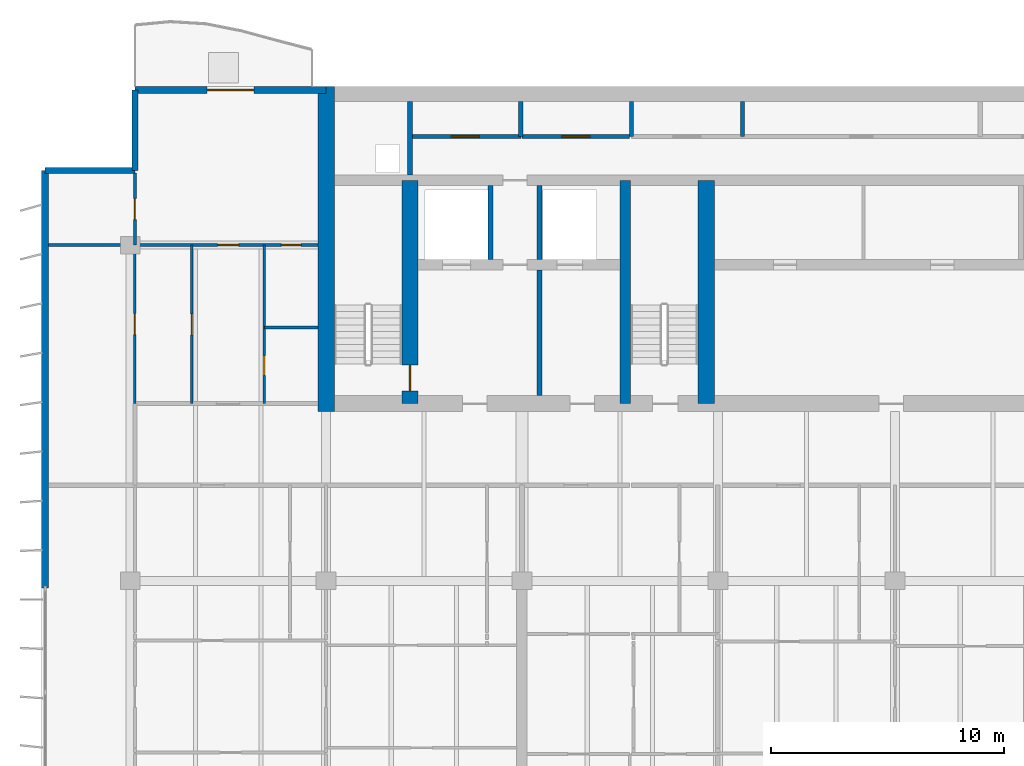
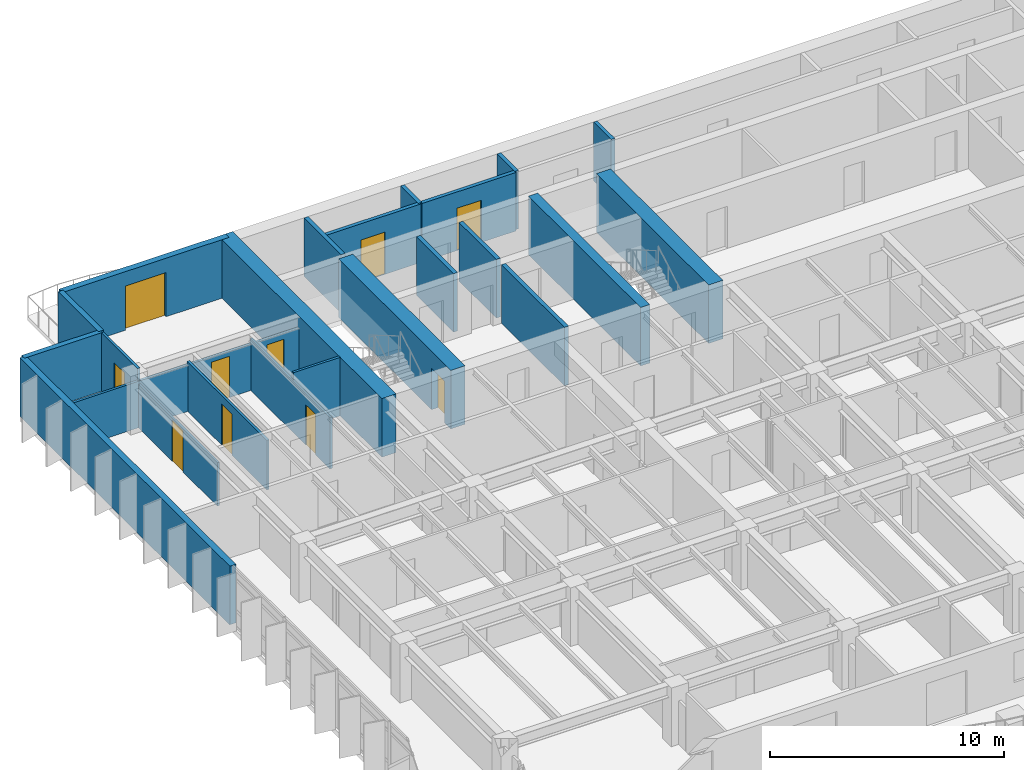
# One storey, part 13 of 19: 23 walls, 10 doors, 10 openings.
"""IFC4 building model written with IfcOpenShell, lengths in metres."""

from ifc_helpers import new_model, si_unit, direction, frame, frame_2d, origin, place, context, subcontext, project, spatial, rectangle, extrude, material, layer, layer_set, type_object, element, fill, save


model = new_model("IFC4")

# Units and contexts
model_context = context("Model", 3, precision=1e-05, world=origin(), true_north=direction((0.0, 1.0)))
body_context = subcontext(model_context, "Body", "Model", "MODEL_VIEW")
ifc_project = project(units=[si_unit("LENGTHUNIT", "METRE"), si_unit("AREAUNIT", "SQUARE_METRE"), si_unit("VOLUMEUNIT", "CUBIC_METRE"), si_unit("PLANEANGLEUNIT", "RADIAN"), si_unit("MASSUNIT", "GRAM", prefix="KILO")], contexts=[model_context])

# Site, building, storey
site_placement = place(None, origin())
site = spatial("IfcSite", under=ifc_project, at=site_placement, CompositionType="ELEMENT")
building_placement = place(site_placement, origin())
building = spatial("IfcBuilding", under=site, at=building_placement, Name="Caelmar Bay Residences", CompositionType="ELEMENT")
storey_placement = place(building_placement, frame((0.0, 0.0, 188.39990234375)))
storey = spatial("IfcBuildingStorey", under=building, at=storey_placement, Name="L52", CompositionType="ELEMENT", Elevation=188.39990234375)

# Wall
ifc_material_1 = material(Name="Concrete f'c 55 MPa (8,000 psi)", Category="concrete")
ifc_layer_1 = layer(ifc_material_1, 0.699951171875)
ifc_layer_set_1 = layer_set([ifc_layer_1], Name="Concrete f'c 55 MPa (8,000 psi)")
wall_type_1 = type_object("IfcWallType", Name="SW-COR-700", PredefinedType="SHEAR", material=ifc_layer_set_1)
wall_1_placement = place(storey_placement, frame((18.300048828125, 36.64990234375, 0.0), z_axis=(0.0, 0.0, 1.0), x_axis=(0.0, 1.0, 0.0)))
element("IfcWall", 1, at=wall_1_placement, inside=storey, type_object=wall_type_1, Name="L52 Rear Core West Shear Wall", PredefinedType="SHEAR", context=body_context, shape_type="SweptSolid", body=[
    extrude(rectangle(XDim=13.9501953125, YDim=0.699951171875, at=frame_2d((6.97509765625, 0.0))), origin(), (0.0, 0.0, 1.0), 3.050048828125),
])

# Wall, opening, door
wall_2_placement = place(storey_placement, frame((21.89990234375, 37.0, 0.0), z_axis=(0.0, 0.0, 1.0), x_axis=(0.0, 1.0, 0.0)))
wall_2 = element("IfcWall", 2, at=wall_2_placement, inside=storey, type_object=wall_type_1, Name="L52 Core Structural Web Wall ST1E", PredefinedType="SHEAR", context=body_context, shape_type="SweptSolid", body=[
    extrude(rectangle(XDim=9.574951171875, YDim=0.699951171875, at=frame_2d((4.78759765625, 0.0))), origin(), (0.0, 0.0, 1.0), 3.050048828125),
])
opening_1_placement = place(wall_2_placement, frame((0.550048828125, 0.0, 0.0)))
opening_1 = element("IfcOpeningElement", 3, at=opening_1_placement, cuts=wall_2, Name="Opening D-L52-107", PredefinedType="OPENING", context=body_context, shape_type="SweptSolid", body=[
    extrude(rectangle(XDim=1.10009765625, YDim=2.14990234375, at=frame_2d((0.550048828125, 1.074951171875))), frame((0.0, 0.35986328125, 0.0), z_axis=(0.0, -1.0, 0.0), x_axis=(1.0, 0.0, 0.0)), (0.0, 0.0, 1.0), 0.719970703125),
])
ifc_material_2 = material(Name="Fire-rated steel and walnut architectural door assembly", Category="steel")
ifc_layer_2 = layer(ifc_material_2, 0.050048828125)
ifc_layer_set_2 = layer_set([ifc_layer_2], Name="Fire-rated steel and walnut architectural door assembly")
door_type_1 = type_object("IfcDoorType", Name="D-STAIR-1100", OperationType="NOTDEFINED", PredefinedType="DOOR", material=ifc_layer_set_2)
door_1_placement = place(opening_1_placement, origin())
door_1 = element("IfcDoor", 4, at=door_1_placement, inside=storey, type_object=door_type_1, Name="L52 Firefighting Lobby West Door", OperationType="SINGLE_SWING_LEFT", OverallHeight=2.14990234375, OverallWidth=1.10009765625, PredefinedType="DOOR", context=body_context, shape_type="SweptSolid", body=[
    extrude(rectangle(XDim=1.10009765625, YDim=2.14990234375, at=frame_2d((0.550048828125, 1.074951171875))), frame((0.0, 0.02490234375, 0.0), z_axis=(0.0, -1.0, 0.0), x_axis=(1.0, 0.0, 0.0)), (0.0, 0.0, 1.0), 0.050048828125),
])
fill(opening_1, door_1)

# Walls
wall_3_placement = place(storey_placement, frame((34.60009765625, 37.0, 0.0), z_axis=(0.0, 0.0, 1.0), x_axis=(0.0, 1.0, 0.0)))
element("IfcWall", 5, at=wall_3_placement, inside=storey, type_object=wall_type_1, Name="L52 Core Structural Web Wall ST3E", PredefinedType="SHEAR", context=body_context, shape_type="SweptSolid", body=[
    extrude(rectangle(XDim=9.574951171875, YDim=0.699951171875, at=frame_2d((4.78759765625, 0.0))), origin(), (0.0, 0.0, 1.0), 3.050048828125),
])
ifc_material_3 = material(Name="Concrete f'c 70 MPa (10,000 psi)", Category="concrete")
ifc_layer_3 = layer(ifc_material_3, 0.449951171875)
ifc_layer_set_3 = layer_set([ifc_layer_3], Name="Concrete f'c 70 MPa (10,000 psi)")
wall_type_2 = type_object("IfcWallType", Name="SW-WEB-450", PredefinedType="SHEAR", material=ifc_layer_set_3)
wall_4_placement = place(storey_placement, frame((31.125, 37.0, 0.0), z_axis=(0.0, 0.0, 1.0), x_axis=(0.0, 1.0, 0.0)))
element("IfcWall", 6, at=wall_4_placement, inside=storey, type_object=wall_type_2, Name="L52 Core Structural Web Wall ST3W", PredefinedType="SHEAR", context=body_context, shape_type="SweptSolid", body=[
    extrude(rectangle(XDim=9.574951171875, YDim=0.449951171875, at=frame_2d((4.78759765625, 0.0))), origin(), (0.0, 0.0, 1.0), 3.050048828125),
])
ifc_material_4 = material(Name="Double-stud acoustic fire-rated gypsum partition 180 mm")
ifc_layer_4 = layer(ifc_material_4, 0.179931640625)
ifc_layer_set_4 = layer_set([ifc_layer_4], Name="Double-stud acoustic fire-rated gypsum partition 180 mm")
wall_type_3 = type_object("IfcWallType", Name="W-COR-200", PredefinedType="PARTITIONING", material=ifc_layer_set_4)
for number, where, z_axis, x_axis, name in (
    (7, (26.64990234375, 48.449951171875, 0.0), (0.0, 0.0, 1.0), (0.0, 1.0, 0.0), "L52 Partition Wall V026"),
    (8, (31.39990234375, 48.449951171875, 0.0), (0.0, 0.0, 1.0), (0.0, 1.0, 0.0), "L52 Partition Wall V034"),
    (9, (36.14990234375, 48.449951171875, 0.0), (0.0, 0.0, 1.0), (0.0, 1.0, 0.0), "L52 Partition Wall V047"),
):
    element("IfcWall", number, at=place(storey_placement, frame(where, z_axis=z_axis, x_axis=x_axis)), inside=storey, type_object=wall_type_3, Name=name, PredefinedType="PARTITIONING", context=body_context, shape_type="SweptSolid", body=[
        extrude(rectangle(XDim=1.505126953125, YDim=0.179931640625, at=frame_2d((0.75244140625, 0.0))), origin(), (0.0, 0.0, 1.0), 3.050048828125),
    ])

# Wall, opening, door
wall_5_placement = place(storey_placement, frame((21.89990234375, 48.449951171875, 0.0), z_axis=(0.0, 0.0, 1.0), x_axis=(1.0, 0.0, 0.0)))
wall_5 = element("IfcWall", 10, at=wall_5_placement, inside=storey, type_object=wall_type_3, Name="L52 Partition Wall H134", PredefinedType="PARTITIONING", context=body_context, shape_type="SweptSolid", body=[
    extrude(rectangle(XDim=4.75, YDim=0.179931640625, at=frame_2d((2.375, 0.0))), origin(), (0.0, 0.0, 1.0), 3.050048828125),
])
opening_2_placement = place(wall_5_placement, frame((1.77490234375, 0.0, 0.0)))
opening_2 = element("IfcOpeningElement", 11, at=opening_2_placement, cuts=wall_5, Name="Opening D-L52-118", PredefinedType="OPENING", context=body_context, shape_type="SweptSolid", body=[
    extrude(rectangle(XDim=1.199951171875, YDim=2.199951171875, at=frame_2d((0.60009765625, 1.10009765625))), frame((0.0, 0.099853515625, 0.0), z_axis=(0.0, -1.0, 0.0), x_axis=(1.0, 0.0, 0.0)), (0.0, 0.0, 1.0), 0.199951171875),
])
ifc_layer_5 = layer(ifc_material_2, 0.050048828125)
ifc_layer_set_5 = layer_set([ifc_layer_5], Name="Fire-rated steel and walnut architectural door assembly")
door_type_2 = type_object("IfcDoorType", Name="D-PLANT-1200", OperationType="NOTDEFINED", PredefinedType="DOOR", material=ifc_layer_set_5)
door_2_placement = place(opening_2_placement, origin())
door_2 = element("IfcDoor", 12, at=door_2_placement, inside=storey, type_object=door_type_2, Name="L52 Branch Panel Closet Door", OperationType="SINGLE_SWING_RIGHT", OverallHeight=2.199951171875, OverallWidth=1.199951171875, PredefinedType="DOOR", context=body_context, shape_type="SweptSolid", body=[
    extrude(rectangle(XDim=1.199951171875, YDim=2.199951171875, at=frame_2d((0.60009765625, 1.10009765625))), frame((0.0, 0.02490234375, 0.0), z_axis=(0.0, -1.0, 0.0), x_axis=(1.0, 0.0, 0.0)), (0.0, 0.0, 1.0), 0.050048828125),
])
fill(opening_2, door_2)

wall_6_placement = place(storey_placement, frame((26.699951171875, 48.449951171875, 0.0), z_axis=(0.0, 0.0, 1.0), x_axis=(1.0, 0.0, 0.0)))
wall_6 = element("IfcWall", 13, at=wall_6_placement, inside=storey, type_object=wall_type_3, Name="L52 Partition Wall H135", PredefinedType="PARTITIONING", context=body_context, shape_type="SweptSolid", body=[
    extrude(rectangle(XDim=4.6201171875, YDim=0.179931640625, at=frame_2d((2.31005859375, 0.0))), origin(), (0.0, 0.0, 1.0), 3.050048828125),
])
opening_3_placement = place(wall_6_placement, frame((1.7099609375, 0.0, 0.0)))
opening_3 = element("IfcOpeningElement", 14, at=opening_3_placement, cuts=wall_6, Name="Opening D-L52-119", PredefinedType="OPENING", context=body_context, shape_type="SweptSolid", body=[
    extrude(rectangle(XDim=1.199951171875, YDim=2.199951171875, at=frame_2d((0.60009765625, 1.10009765625))), frame((0.0, 0.099853515625, 0.0), z_axis=(0.0, -1.0, 0.0), x_axis=(1.0, 0.0, 0.0)), (0.0, 0.0, 1.0), 0.199951171875),
])
door_3_placement = place(opening_3_placement, origin())
door_3 = element("IfcDoor", 15, at=door_3_placement, inside=storey, type_object=door_type_2, Name="L52 Water Meter Closet Door", OperationType="SINGLE_SWING_LEFT", OverallHeight=2.199951171875, OverallWidth=1.199951171875, PredefinedType="DOOR", context=body_context, shape_type="SweptSolid", body=[
    extrude(rectangle(XDim=1.199951171875, YDim=2.199951171875, at=frame_2d((0.60009765625, 1.10009765625))), frame((0.0, 0.02490234375, 0.0), z_axis=(0.0, -1.0, 0.0), x_axis=(1.0, 0.0, 0.0)), (0.0, 0.0, 1.0), 0.050048828125),
])
fill(opening_3, door_3)

# Walls
ifc_material_5 = material(Name="Precast concrete f'c 40 MPa (6,000 psi)", Category="concrete")
ifc_layer_6 = layer(ifc_material_5, 0.25)
ifc_layer_set_6 = layer_set([ifc_layer_6], Name="Precast concrete f'c 40 MPa (6,000 psi)")
wall_type_4 = type_object("IfcWallType", Name="W-EXT-250", PredefinedType="ELEMENTEDWALL", material=ifc_layer_set_6)
wall_7_placement = place(storey_placement, frame((6.25, 47.0, 0.0), z_axis=(0.0, 0.0, 1.0), x_axis=(1.0, 0.0, 0.0)))
element("IfcWall", 16, at=wall_7_placement, inside=storey, type_object=wall_type_4, Name="L52 NNW-H Notch Wall", PredefinedType="ELEMENTEDWALL", context=body_context, shape_type="SweptSolid", body=[
    extrude(rectangle(XDim=3.85009765625, YDim=0.25, at=frame_2d((1.925048828125, 0.0))), origin(), (0.0, 0.0, 1.0), 3.050048828125),
])
wall_8_placement = place(storey_placement, frame((10.10009765625, 47.0, 0.0), z_axis=(0.0, 0.0, 1.0), x_axis=(0.0, 1.0, 0.0)))
element("IfcWall", 17, at=wall_8_placement, inside=storey, type_object=wall_type_4, Name="L52 NNW-V Notch Wall", PredefinedType="ELEMENTEDWALL", context=body_context, shape_type="SweptSolid", body=[
    extrude(rectangle(XDim=3.449951171875, YDim=0.25, at=frame_2d((1.72509765625, 0.0))), origin(), (0.0, 0.0, 1.0), 3.050048828125),
])
ifc_layer_7 = layer(ifc_material_5, 0.300048828125)
ifc_layer_set_7 = layer_set([ifc_layer_7], Name="Precast concrete f'c 40 MPa (6,000 psi)")
wall_type_5 = type_object("IfcWallType", Name="W-EXT-300", PredefinedType="STANDARD", material=ifc_layer_set_7)
wall_9_placement = place(storey_placement, frame((6.25, 29.10009765625, 0.0), z_axis=(0.0, 0.0, 1.0), x_axis=(0.0, 1.0, 0.0)))
element("IfcWall", 18, at=wall_9_placement, inside=storey, type_object=wall_type_5, Name="L52 West Rear Exterior Wall", PredefinedType="STANDARD", context=body_context, shape_type="SweptSolid", body=[
    extrude(rectangle(XDim=17.89990234375, YDim=0.300048828125, at=frame_2d((8.949951171875, 0.0))), origin(), (0.0, 0.0, 1.0), 3.050048828125),
])

# Wall, opening, door
wall_10_placement = place(storey_placement, frame((10.10009765625, 50.449951171875, 0.0), z_axis=(0.0, 0.0, 1.0), x_axis=(1.0, 0.0, 0.0)))
wall_10 = element("IfcWall", 19, at=wall_10_placement, inside=storey, type_object=wall_type_5, Name="L52 North-West Wing Exterior Wall", PredefinedType="STANDARD", context=body_context, shape_type="SweptSolid", body=[
    extrude(rectangle(XDim=8.199951171875, YDim=0.300048828125, at=frame_2d((4.10009765625, 0.0))), origin(), (0.0, 0.0, 1.0), 3.050048828125),
])
opening_4_placement = place(wall_10_placement, frame((3.10009765625, 0.0, 0.0)))
opening_4 = element("IfcOpeningElement", 20, at=opening_4_placement, cuts=wall_10, Name="Opening L52-BDNW", PredefinedType="OPENING", context=body_context, shape_type="SweptSolid", body=[
    extrude(rectangle(XDim=2.0, YDim=2.300048828125, at=frame_2d((1.0, 1.14990234375))), frame((0.0, 0.159912109375, 0.0), z_axis=(0.0, -1.0, 0.0), x_axis=(1.0, 0.0, 0.0)), (0.0, 0.0, 1.0), 0.320068359375),
])
ifc_material_6 = material(Name="Anodised bronze thermally broken sliding glass door", Category="glass")
ifc_layer_8 = layer(ifc_material_6, 0.050048828125)
ifc_layer_set_8 = layer_set([ifc_layer_8], Name="Anodised bronze thermally broken sliding glass door")
door_type_3 = type_object("IfcDoorType", Name="D-BAL-2000", OperationType="DOUBLE_DOOR_SLIDING", PredefinedType="DOOR", material=ifc_layer_set_8)
door_4_placement = place(opening_4_placement, origin())
door_4 = element("IfcDoor", 21, at=door_4_placement, inside=storey, type_object=door_type_3, Name="L52 North-West Balcony Door", OperationType="DOUBLE_DOOR_SLIDING", OverallHeight=2.300048828125, OverallWidth=2.0, PredefinedType="DOOR", context=body_context, shape_type="SweptSolid", body=[
    extrude(rectangle(XDim=2.0, YDim=2.300048828125, at=frame_2d((1.0, 1.14990234375))), frame((0.0, 0.02490234375, 0.0), z_axis=(0.0, -1.0, 0.0), x_axis=(1.0, 0.0, 0.0)), (0.0, 0.0, 1.0), 0.050048828125),
])
fill(opening_4, door_4)

# Walls
ifc_material_7 = material(Name="Fire-rated masonry and gypsum shaftliner assembly 200 mm", Category="masonry")
ifc_layer_9 = layer(ifc_material_7, 0.199951171875)
ifc_layer_set_9 = layer_set([ifc_layer_9], Name="Fire-rated masonry and gypsum shaftliner assembly 200 mm")
wall_type_6 = type_object("IfcWallType", Name="W-FSAE-200", PredefinedType="PARTITIONING", material=ifc_layer_set_9)
wall_11_placement = place(storey_placement, frame((21.89990234375, 46.794921875, 0.0), z_axis=(0.0, 0.0, 1.0), x_axis=(0.0, 1.0, 0.0)))
element("IfcWall", 22, at=wall_11_placement, inside=storey, type_object=wall_type_6, Name="L52 Partition Wall V021", PredefinedType="PARTITIONING", context=body_context, shape_type="SweptSolid", body=[
    extrude(rectangle(XDim=3.16015625, YDim=0.199951171875, at=frame_2d((1.580078125, 0.0))), origin(), (0.0, 0.0, 1.0), 3.050048828125),
])
wall_12_placement = place(storey_placement, frame((25.35009765625, 43.169921875, 0.0), z_axis=(0.0, 0.0, 1.0), x_axis=(0.0, 1.0, 0.0)))
element("IfcWall", 23, at=wall_12_placement, inside=storey, type_object=wall_type_6, Name="L52 Partition Wall V025", PredefinedType="PARTITIONING", context=body_context, shape_type="SweptSolid", body=[
    extrude(rectangle(XDim=3.18505859375, YDim=0.199951171875, at=frame_2d((1.592529296875, 0.0))), origin(), (0.0, 0.0, 1.0), 3.050048828125),
])
wall_13_placement = place(storey_placement, frame((27.449951171875, 37.344970703125, 0.0), z_axis=(0.0, 0.0, 1.0), x_axis=(0.0, 1.0, 0.0)))
element("IfcWall", 24, at=wall_13_placement, inside=storey, type_object=wall_type_6, Name="L52 Partition Wall V030", PredefinedType="PARTITIONING", context=body_context, shape_type="SweptSolid", body=[
    extrude(rectangle(XDim=5.385009765625, YDim=0.199951171875, at=frame_2d((2.6923828125, 0.0))), origin(), (0.0, 0.0, 1.0), 3.050048828125),
])
wall_14_placement = place(storey_placement, frame((27.449951171875, 43.169921875, 0.0), z_axis=(0.0, 0.0, 1.0), x_axis=(0.0, 1.0, 0.0)))
element("IfcWall", 25, at=wall_14_placement, inside=storey, type_object=wall_type_6, Name="L52 Partition Wall V031", PredefinedType="PARTITIONING", context=body_context, shape_type="SweptSolid", body=[
    extrude(rectangle(XDim=3.18505859375, YDim=0.199951171875, at=frame_2d((1.592529296875, 0.0))), origin(), (0.0, 0.0, 1.0), 3.050048828125),
])

# Wall, opening, door
ifc_material_8 = material(Name="Anodised bronze framed acoustic sliding study partition 100 mm")
ifc_layer_10 = layer(ifc_material_8, 0.10009765625)
ifc_layer_set_10 = layer_set([ifc_layer_10], Name="Anodised bronze framed acoustic sliding study partition 100 mm")
wall_type_7 = type_object("IfcWallType", Name="W-MOV-100", PredefinedType="MOVABLE", material=ifc_layer_set_10)
wall_15_placement = place(storey_placement, frame((10.10009765625, 37.0048828125, 0.0), z_axis=(0.0, 0.0, 1.0), x_axis=(0.0, 1.0, 0.0)))
wall_15 = element("IfcWall", 26, at=wall_15_placement, inside=storey, type_object=wall_type_7, Name="L52 Partition Wall V008", PredefinedType="MOVABLE", context=body_context, shape_type="SweptSolid", body=[
    extrude(rectangle(XDim=6.795166015625, YDim=0.10009765625, at=frame_2d((3.3974609375, 0.0))), origin(), (0.0, 0.0, 1.0), 2.26318359375),
])
opening_5_placement = place(wall_15_placement, frame((2.947509765625, 0.0, 0.0)))
opening_5 = element("IfcOpeningElement", 27, at=opening_5_placement, cuts=wall_15, Name="Opening D-L52-168", PredefinedType="OPENING", context=body_context, shape_type="SweptSolid", body=[
    extrude(rectangle(XDim=0.89990234375, YDim=2.14990234375, at=frame_2d((0.449951171875, 1.074951171875))), frame((0.0, 0.06005859375, 0.0), z_axis=(0.0, -1.0, 0.0), x_axis=(1.0, 0.0, 0.0)), (0.0, 0.0, 1.0), 0.1201171875),
])
ifc_material_9 = material(Name="Solid walnut timber interior door leaf and frame", Category="wood")
ifc_layer_11 = layer(ifc_material_9, 0.050048828125)
ifc_layer_set_11 = layer_set([ifc_layer_11], Name="Solid walnut timber interior door leaf and frame")
door_type_4 = type_object("IfcDoorType", Name="D-ROOM-900", OperationType="NOTDEFINED", PredefinedType="DOOR", material=ifc_layer_set_11)
door_5_placement = place(opening_5_placement, origin())
door_5 = element("IfcDoor", 28, at=door_5_placement, inside=storey, type_object=door_type_4, Name="L52 Residence WA Sun Study Door", OperationType="SINGLE_SWING_RIGHT", OverallHeight=2.14990234375, OverallWidth=0.89990234375, PredefinedType="DOOR", context=body_context, shape_type="SweptSolid", body=[
    extrude(rectangle(XDim=0.89990234375, YDim=2.14990234375, at=frame_2d((0.449951171875, 1.074951171875))), frame((0.0, 0.02490234375, 0.0), z_axis=(0.0, -1.0, 0.0), x_axis=(1.0, 0.0, 0.0)), (0.0, 0.0, 1.0), 0.050048828125),
])
fill(opening_5, door_5)

ifc_material_10 = material(Name="Acoustic metal-stud gypsum partition 120 mm")
ifc_layer_12 = layer(ifc_material_10, 0.1201171875)
ifc_layer_set_12 = layer_set([ifc_layer_12], Name="Acoustic metal-stud gypsum partition 120 mm")
wall_type_8 = type_object("IfcWallType", Name="W-PRT-120", PredefinedType="PARTITIONING", material=ifc_layer_set_12)
wall_16_placement = place(storey_placement, frame((10.10009765625, 43.804931640625, 0.0), z_axis=(0.0, 0.0, 1.0), x_axis=(0.0, 1.0, 0.0)))
wall_16 = element("IfcWall", 29, at=wall_16_placement, inside=storey, type_object=wall_type_8, Name="L52 Partition Wall V009", PredefinedType="PARTITIONING", context=body_context, shape_type="SweptSolid", body=[
    extrude(rectangle(XDim=3.074951171875, YDim=0.1201171875, at=frame_2d((1.53759765625, 0.0))), origin(), (0.0, 0.0, 1.0), 3.050048828125),
])
opening_6_placement = place(wall_16_placement, frame((1.08740234375, 0.0, 0.0)))
opening_6 = element("IfcOpeningElement", 30, at=opening_6_placement, cuts=wall_16, Name="Opening D-L52-169", PredefinedType="OPENING", context=body_context, shape_type="SweptSolid", body=[
    extrude(rectangle(XDim=0.89990234375, YDim=2.14990234375, at=frame_2d((0.449951171875, 1.074951171875))), frame((0.0, 0.070068359375, 0.0), z_axis=(0.0, -1.0, 0.0), x_axis=(1.0, 0.0, 0.0)), (0.0, 0.0, 1.0), 0.14013671875),
])
door_6_placement = place(opening_6_placement, origin())
door_6 = element("IfcDoor", 31, at=door_6_placement, inside=storey, type_object=door_type_4, Name="L52 Residence WA North Sitting Alcove Door", OperationType="SINGLE_SWING_LEFT", OverallHeight=2.14990234375, OverallWidth=0.89990234375, PredefinedType="DOOR", context=body_context, shape_type="SweptSolid", body=[
    extrude(rectangle(XDim=0.89990234375, YDim=2.14990234375, at=frame_2d((0.449951171875, 1.074951171875))), frame((0.0, 0.02490234375, 0.0), z_axis=(0.0, -1.0, 0.0), x_axis=(1.0, 0.0, 0.0)), (0.0, 0.0, 1.0), 0.050048828125),
])
fill(opening_6, door_6)

wall_17_placement = place(storey_placement, frame((12.5419921875, 37.0, 0.0), z_axis=(0.0, 0.0, 1.0), x_axis=(0.0, 1.0, 0.0)))
wall_17 = element("IfcWall", 32, at=wall_17_placement, inside=storey, type_object=wall_type_8, Name="L52 Partition Wall V010", PredefinedType="PARTITIONING", context=body_context, shape_type="SweptSolid", body=[
    extrude(rectangle(XDim=6.800048828125, YDim=0.1201171875, at=frame_2d((3.39990234375, 0.0))), origin(), (0.0, 0.0, 1.0), 2.578125),
])
opening_7_placement = place(wall_17_placement, frame((2.949951171875, 0.0, 0.0)))
opening_7 = element("IfcOpeningElement", 33, at=opening_7_placement, cuts=wall_17, Name="Opening D-L52-163", PredefinedType="OPENING", context=body_context, shape_type="SweptSolid", body=[
    extrude(rectangle(XDim=0.89990234375, YDim=2.14990234375, at=frame_2d((0.449951171875, 1.074951171875))), frame((0.0, 0.070068359375, 0.0), z_axis=(0.0, -1.0, 0.0), x_axis=(1.0, 0.0, 0.0)), (0.0, 0.0, 1.0), 0.14013671875),
])
door_7_placement = place(opening_7_placement, origin())
door_7 = element("IfcDoor", 34, at=door_7_placement, inside=storey, type_object=door_type_4, Name="L52 Residence WA Dining Room Door", OperationType="SINGLE_SWING_LEFT", OverallHeight=2.14990234375, OverallWidth=0.89990234375, PredefinedType="DOOR", context=body_context, shape_type="SweptSolid", body=[
    extrude(rectangle(XDim=0.89990234375, YDim=2.14990234375, at=frame_2d((0.449951171875, 1.074951171875))), frame((0.0, 0.02490234375, 0.0), z_axis=(0.0, -1.0, 0.0), x_axis=(1.0, 0.0, 0.0)), (0.0, 0.0, 1.0), 0.050048828125),
])
fill(opening_7, door_7)

wall_18_placement = place(storey_placement, frame((15.64990234375, 37.0, 0.0), z_axis=(0.0, 0.0, 1.0), x_axis=(0.0, 1.0, 0.0)))
wall_18 = element("IfcWall", 35, at=wall_18_placement, inside=storey, type_object=wall_type_8, Name="L52 Partition Wall V011", PredefinedType="PARTITIONING", context=body_context, shape_type="SweptSolid", body=[
    extrude(rectangle(XDim=6.800048828125, YDim=0.1201171875, at=frame_2d((3.39990234375, 0.0))), origin(), (0.0, 0.0, 1.0), 2.67919921875),
])
opening_8_placement = place(wall_18_placement, frame((1.20703125, 0.0, 0.0)))
opening_8 = element("IfcOpeningElement", 36, at=opening_8_placement, cuts=wall_18, Name="Opening D-L52-166", PredefinedType="OPENING", context=body_context, shape_type="SweptSolid", body=[
    extrude(rectangle(XDim=0.85009765625, YDim=2.10009765625, at=frame_2d((0.425048828125, 1.050048828125))), frame((0.0, 0.070068359375, 0.0), z_axis=(0.0, -1.0, 0.0), x_axis=(1.0, 0.0, 0.0)), (0.0, 0.0, 1.0), 0.14013671875),
])
ifc_layer_13 = layer(ifc_material_9, 0.050048828125)
ifc_layer_set_13 = layer_set([ifc_layer_13], Name="Solid walnut timber interior door leaf and frame")
door_type_5 = type_object("IfcDoorType", Name="D-BATH-850", OperationType="NOTDEFINED", PredefinedType="DOOR", material=ifc_layer_set_13)
door_8_placement = place(opening_8_placement, origin())
door_8 = element("IfcDoor", 37, at=door_8_placement, inside=storey, type_object=door_type_5, Name="L52 Residence WA Walk-In Closet Door", OperationType="SINGLE_SWING_RIGHT", OverallHeight=2.10009765625, OverallWidth=0.85009765625, PredefinedType="DOOR", context=body_context, shape_type="SweptSolid", body=[
    extrude(rectangle(XDim=0.85009765625, YDim=2.10009765625, at=frame_2d((0.425048828125, 1.050048828125))), frame((0.0, 0.02490234375, 0.0), z_axis=(0.0, -1.0, 0.0), x_axis=(1.0, 0.0, 0.0)), (0.0, 0.0, 1.0), 0.050048828125),
])
fill(opening_8, door_8)

# Wall
wall_19_placement = place(storey_placement, frame((15.64990234375, 40.263916015625, 0.0), z_axis=(0.0, 0.0, 1.0), x_axis=(1.0, 0.0, 0.0)))
element("IfcWall", 38, at=wall_19_placement, inside=storey, type_object=wall_type_8, Name="L52 Partition Wall H130", PredefinedType="PARTITIONING", context=body_context, shape_type="SweptSolid", body=[
    extrude(rectangle(XDim=2.30517578125, YDim=0.1201171875, at=frame_2d((1.152587890625, 0.0))), origin(), (0.0, 0.0, 1.0), 3.050048828125),
])

# Wall, openings, doors
wall_20_placement = place(storey_placement, frame((6.39501953125, 43.800048828125, 0.0), z_axis=(0.0, 0.0, 1.0), x_axis=(1.0, 0.0, 0.0)))
wall_20 = element("IfcWall", 39, at=wall_20_placement, inside=storey, type_object=wall_type_8, Name="L52 Partition Wall H132", PredefinedType="PARTITIONING", context=body_context, shape_type="SweptSolid", body=[
    extrude(rectangle(XDim=11.56005859375, YDim=0.1201171875, at=frame_2d((5.780029296875, 0.0))), origin(), (0.0, 0.0, 1.0), 2.418212890625),
])
opening_9_placement = place(wall_20_placement, frame((7.2509765625, 0.0, 0.0)))
opening_9 = element("IfcOpeningElement", 40, at=opening_9_placement, cuts=wall_20, Name="Opening D-L52-165", PredefinedType="OPENING", context=body_context, shape_type="SweptSolid", body=[
    extrude(rectangle(XDim=0.89990234375, YDim=2.14990234375, at=frame_2d((0.449951171875, 1.074951171875))), frame((0.0, 0.070068359375, 0.0), z_axis=(0.0, -1.0, 0.0), x_axis=(1.0, 0.0, 0.0)), (0.0, 0.0, 1.0), 0.14013671875),
])
opening_10_placement = place(wall_20_placement, frame((9.982421875, 0.0, 0.0)))
opening_10 = element("IfcOpeningElement", 41, at=opening_10_placement, cuts=wall_20, Name="Opening D-L52-167", PredefinedType="OPENING", context=body_context, shape_type="SweptSolid", body=[
    extrude(rectangle(XDim=0.85009765625, YDim=2.10009765625, at=frame_2d((0.425048828125, 1.050048828125))), frame((0.0, 0.070068359375, 0.0), z_axis=(0.0, -1.0, 0.0), x_axis=(1.0, 0.0, 0.0)), (0.0, 0.0, 1.0), 0.14013671875),
])
door_9_placement = place(opening_10_placement, origin())
door_9 = element("IfcDoor", 42, at=door_9_placement, inside=storey, type_object=door_type_5, Name="L52 Residence WA Bathroom Door", OperationType="SINGLE_SWING_LEFT", OverallHeight=2.10009765625, OverallWidth=0.85009765625, PredefinedType="DOOR", context=body_context, shape_type="SweptSolid", body=[
    extrude(rectangle(XDim=0.85009765625, YDim=2.10009765625, at=frame_2d((0.425048828125, 1.050048828125))), frame((0.0, 0.02490234375, 0.0), z_axis=(0.0, -1.0, 0.0), x_axis=(1.0, 0.0, 0.0)), (0.0, 0.0, 1.0), 0.050048828125),
])
fill(opening_10, door_9)
door_10_placement = place(opening_9_placement, origin())
door_10 = element("IfcDoor", 43, at=door_10_placement, inside=storey, type_object=door_type_4, Name="L52 Residence WA Studio Living and Sleeping Room Door", OperationType="SINGLE_SWING_LEFT", OverallHeight=2.14990234375, OverallWidth=0.89990234375, PredefinedType="DOOR", context=body_context, shape_type="SweptSolid", body=[
    extrude(rectangle(XDim=0.89990234375, YDim=2.14990234375, at=frame_2d((0.449951171875, 1.074951171875))), frame((0.0, 0.02490234375, 0.0), z_axis=(0.0, -1.0, 0.0), x_axis=(1.0, 0.0, 0.0)), (0.0, 0.0, 1.0), 0.050048828125),
])
fill(opening_9, door_10)

save(model, "model.ifc")
